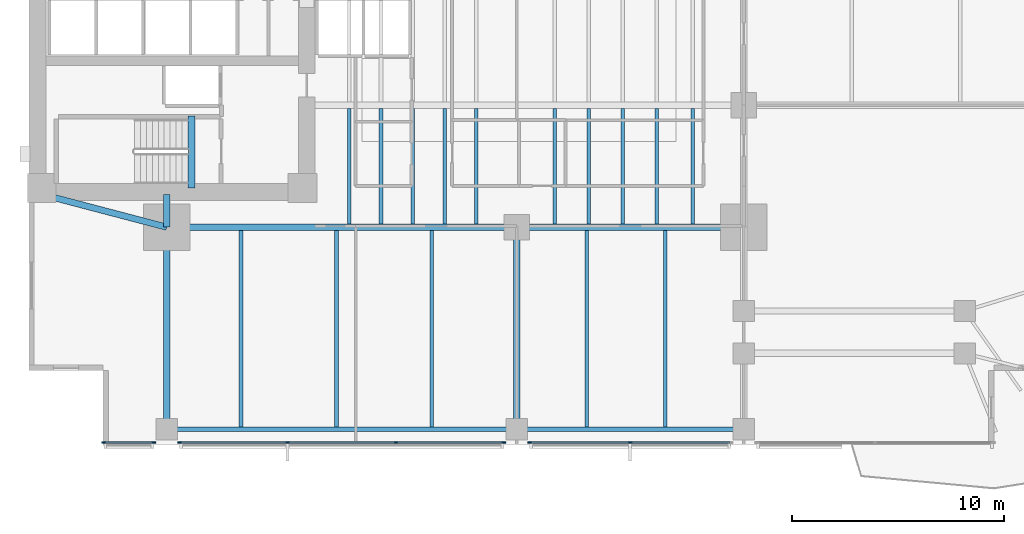
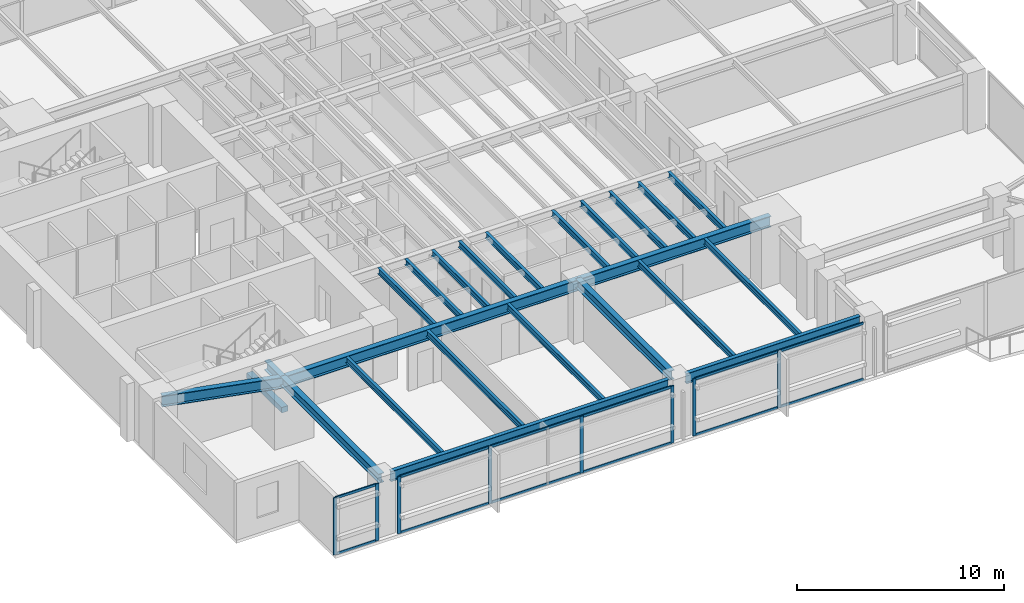
# One storey, part 2 of 15: 24 beams, 20 members, 3 elements without a shape of their own.
"""IFC4 building model written with IfcOpenShell, lengths in metres."""

from ifc_helpers import new_model, si_unit, direction, frame, origin, origin_2d, place, context, subcontext, project, spatial, rectangle, i_section, extrude, material, layer, layer_set, material_profile, profile_set, type_object, element, aggregate, save


model = new_model("IFC4")

# Units and contexts
model_context = context("Model", 3, precision=1e-05, world=origin(), true_north=direction((0.0, 1.0)))
body_context = subcontext(model_context, "Body", "Model", "MODEL_VIEW")
ifc_project = project(units=[si_unit("LENGTHUNIT", "METRE"), si_unit("AREAUNIT", "SQUARE_METRE"), si_unit("VOLUMEUNIT", "CUBIC_METRE"), si_unit("PLANEANGLEUNIT", "RADIAN"), si_unit("MASSUNIT", "GRAM", prefix="KILO")], contexts=[model_context])

# Site, building, storey
site_placement = place(None, origin())
site = spatial("IfcSite", under=ifc_project, at=site_placement, CompositionType="ELEMENT")
building_placement = place(site_placement, origin())
building = spatial("IfcBuilding", under=site, at=building_placement, Name="Kinhvarn Gate Tower", CompositionType="ELEMENT")
storey_placement = place(building_placement, frame((0.0, 0.0, 29.14990234375)))
storey = spatial("IfcBuildingStorey", under=building, at=storey_placement, Name="L06", CompositionType="ELEMENT", Elevation=29.14990234375)

# Beam
ifc_material_1 = material(Name="Concrete C50/60", Category="concrete")
ifc_material_profile_1 = material_profile(ifc_material_1, rectangle(XDim=0.340087890625, YDim=0.320068359375, at=origin_2d()), Name="RC 340x320")
ifc_profile_set_1 = profile_set([ifc_material_profile_1], Name="Concrete C50/60")
beam_type_1 = type_object("IfcBeamType", Name="BM-LND-500", PredefinedType="BEAM", material=ifc_profile_set_1)
beam_1_placement = place(storey_placement, frame((12.1650390625, 14.60009765625, -0.159912109375), z_axis=(0.0, 1.0, 0.0), x_axis=(-1.0, 0.0, 0.0)))
element("IfcBeam", 1, at=beam_1_placement, inside=storey, type_object=beam_type_1, Name="Stair ST1 Landing Nosing Beam (L06)", PredefinedType="BEAM", context=body_context, shape_type="SweptSolid", body=[
    extrude(rectangle(XDim=0.340087890625, YDim=0.320068359375, at=origin_2d()), origin(), (0.0, 0.0, 1.0), 3.39990234375),
])

# Curtain wall, members
ifc_material_2 = material(Name="Anodised aluminium AW-6063", Category="aluminium")
ifc_layer = layer(ifc_material_2, 0.179931640625)
ifc_layer_set = layer_set([ifc_layer], Name="Anodised aluminium AW-6063")
curtain_wall_type = type_object("IfcCurtainWallType", Name="CW-SYS-2", PredefinedType="NOTDEFINED", material=ifc_layer_set)
curtain_wall_1_placement = place(storey_placement, origin())
curtain_wall_1 = element("IfcCurtainWall", 2, at=curtain_wall_1_placement, inside=storey, type_object=curtain_wall_type, Name="Curtain Wall CW2 (L06)", PredefinedType="NOTDEFINED")
ifc_material_profile_2 = material_profile(ifc_material_2, rectangle(XDim=0.070068359375, YDim=0.179931640625, at=origin_2d()), Name="ALU 70x180")
ifc_profile_set_2 = profile_set([ifc_material_profile_2], Name="Anodised aluminium AW-6063")
member_type_1 = type_object("IfcMemberType", Name="CW-MUL-180", PredefinedType="MULLION", material=ifc_profile_set_2)
member_1_placement = place(storey_placement, frame((8.034912109375, 2.590087890625, 0.0), z_axis=(0.0, 0.0, 1.0), x_axis=(0.0, 1.0, 0.0)))
member_1 = element("IfcMember", 3, at=member_1_placement, type_object=member_type_1, Name="CW2 mullion 1", PredefinedType="MULLION", context=body_context, shape_type="SweptSolid", body=[
    extrude(rectangle(XDim=0.070068359375, YDim=0.179931640625, at=origin_2d()), origin(), (0.0, 0.0, 1.0), 3.3701171875),
])
member_2_placement = place(storey_placement, frame((10.385009765625, 2.590087890625, 0.0), z_axis=(0.0, 0.0, 1.0), x_axis=(0.0, 1.0, 0.0)))
member_2 = element("IfcMember", 4, at=member_2_placement, type_object=member_type_1, Name="CW2 mullion 2", PredefinedType="MULLION", context=body_context, shape_type="SweptSolid", body=[
    extrude(rectangle(XDim=0.070068359375, YDim=0.179931640625, at=origin_2d()), origin(), (0.0, 0.0, 1.0), 3.3701171875),
])

curtain_wall_2_placement = place(storey_placement, origin())
curtain_wall_2 = element("IfcCurtainWall", 5, at=curtain_wall_2_placement, inside=storey, type_object=curtain_wall_type, Name="Curtain Wall CW2 (L06)", PredefinedType="NOTDEFINED")
member_3_placement = place(storey_placement, frame((11.614990234375, 2.590087890625, 0.0), z_axis=(0.0, 0.0, 1.0), x_axis=(0.0, 1.0, 0.0)))
member_3 = element("IfcMember", 6, at=member_3_placement, type_object=member_type_1, Name="CW2 mullion 1", PredefinedType="MULLION", context=body_context, shape_type="SweptSolid", body=[
    extrude(rectangle(XDim=0.070068359375, YDim=0.179931640625, at=origin_2d()), origin(), (0.0, 0.0, 1.0), 3.3701171875),
])
member_4_placement = place(storey_placement, frame((16.693359375, 2.590087890625, 0.0), z_axis=(0.0, 0.0, 1.0), x_axis=(0.0, 1.0, 0.0)))
member_4 = element("IfcMember", 7, at=member_4_placement, type_object=member_type_1, Name="CW2 mullion 2", PredefinedType="MULLION", context=body_context, shape_type="SweptSolid", body=[
    extrude(rectangle(XDim=0.070068359375, YDim=0.179931640625, at=origin_2d()), origin(), (0.0, 0.0, 1.0), 3.3701171875),
])
member_5_placement = place(storey_placement, frame((21.806640625, 2.590087890625, 0.0), z_axis=(0.0, 0.0, 1.0), x_axis=(0.0, 1.0, 0.0)))
member_5 = element("IfcMember", 8, at=member_5_placement, type_object=member_type_1, Name="CW2 mullion 3", PredefinedType="MULLION", context=body_context, shape_type="SweptSolid", body=[
    extrude(rectangle(XDim=0.070068359375, YDim=0.179931640625, at=origin_2d()), origin(), (0.0, 0.0, 1.0), 3.3701171875),
])
member_6_placement = place(storey_placement, frame((26.885009765625, 2.590087890625, 0.0), z_axis=(0.0, 0.0, 1.0), x_axis=(0.0, 1.0, 0.0)))
member_6 = element("IfcMember", 9, at=member_6_placement, type_object=member_type_1, Name="CW2 mullion 4", PredefinedType="MULLION", context=body_context, shape_type="SweptSolid", body=[
    extrude(rectangle(XDim=0.070068359375, YDim=0.179931640625, at=origin_2d()), origin(), (0.0, 0.0, 1.0), 3.3701171875),
])

curtain_wall_3_placement = place(storey_placement, origin())
curtain_wall_3 = element("IfcCurtainWall", 10, at=curtain_wall_3_placement, inside=storey, type_object=curtain_wall_type, Name="Curtain Wall CW2 (L06)", PredefinedType="NOTDEFINED")
member_7_placement = place(storey_placement, frame((28.114990234375, 2.590087890625, 0.0), z_axis=(0.0, 0.0, 1.0), x_axis=(0.0, 1.0, 0.0)))
member_7 = element("IfcMember", 11, at=member_7_placement, type_object=member_type_1, Name="CW2 mullion 1", PredefinedType="MULLION", context=body_context, shape_type="SweptSolid", body=[
    extrude(rectangle(XDim=0.070068359375, YDim=0.179931640625, at=origin_2d()), origin(), (0.0, 0.0, 1.0), 3.3701171875),
])
member_8_placement = place(storey_placement, frame((32.85009765625, 2.590087890625, 0.0), z_axis=(0.0, 0.0, 1.0), x_axis=(0.0, 1.0, 0.0)))
member_8 = element("IfcMember", 12, at=member_8_placement, type_object=member_type_1, Name="CW2 mullion 2", PredefinedType="MULLION", context=body_context, shape_type="SweptSolid", body=[
    extrude(rectangle(XDim=0.070068359375, YDim=0.179931640625, at=origin_2d()), origin(), (0.0, 0.0, 1.0), 3.3701171875),
])

# Member
ifc_material_profile_3 = material_profile(ifc_material_2, rectangle(XDim=0.070068359375, YDim=0.139892578125, at=origin_2d()), Name="ALU 70x140")
ifc_profile_set_3 = profile_set([ifc_material_profile_3], Name="Anodised aluminium AW-6063")
member_type_2 = type_object("IfcMemberType", Name="CW-TRN-140", PredefinedType="USERDEFINED", material=ifc_profile_set_3)
member_9_placement = place(storey_placement, frame((8.070068359375, 2.590087890625, 0.03515625), z_axis=(1.0, 0.0, 0.0), x_axis=(0.0, 1.0, 0.0)))
member_9 = element("IfcMember", 13, at=member_9_placement, type_object=member_type_2, Name="CW2 transom 1.1", ObjectType="TRANSOM", PredefinedType="USERDEFINED", context=body_context, shape_type="SweptSolid", body=[
    extrude(rectangle(XDim=0.070068359375, YDim=0.139892578125, at=origin_2d()), origin(), (0.0, 0.0, 1.0), 2.280029296875),
])

member_10_placement = place(storey_placement, frame((8.070068359375, 2.590087890625, 3.335205078125), z_axis=(1.0, 0.0, 0.0), x_axis=(0.0, 1.0, 0.0)))
member_10 = element("IfcMember", 14, at=member_10_placement, type_object=member_type_2, Name="CW2 transom 1.2", ObjectType="TRANSOM", PredefinedType="USERDEFINED", context=body_context, shape_type="SweptSolid", body=[
    extrude(rectangle(XDim=0.070068359375, YDim=0.139892578125, at=origin_2d()), origin(), (0.0, 0.0, 1.0), 2.280029296875),
])

aggregate(curtain_wall_1, [member_1, member_2, member_9, member_10])

member_11_placement = place(storey_placement, frame((11.64990234375, 2.590087890625, 0.03515625), z_axis=(1.0, 0.0, 0.0), x_axis=(0.0, 1.0, 0.0)))
member_11 = element("IfcMember", 15, at=member_11_placement, type_object=member_type_2, Name="CW2 transom 1.1", ObjectType="TRANSOM", PredefinedType="USERDEFINED", context=body_context, shape_type="SweptSolid", body=[
    extrude(rectangle(XDim=0.070068359375, YDim=0.139892578125, at=origin_2d()), origin(), (0.0, 0.0, 1.0), 5.008544921875),
])

member_12_placement = place(storey_placement, frame((11.64990234375, 2.590087890625, 3.335205078125), z_axis=(1.0, 0.0, 0.0), x_axis=(0.0, 1.0, 0.0)))
member_12 = element("IfcMember", 16, at=member_12_placement, type_object=member_type_2, Name="CW2 transom 1.2", ObjectType="TRANSOM", PredefinedType="USERDEFINED", context=body_context, shape_type="SweptSolid", body=[
    extrude(rectangle(XDim=0.070068359375, YDim=0.139892578125, at=origin_2d()), origin(), (0.0, 0.0, 1.0), 5.008544921875),
])

member_13_placement = place(storey_placement, frame((16.728271484375, 2.590087890625, 0.03515625), z_axis=(1.0, 0.0, 0.0), x_axis=(0.0, 1.0, 0.0)))
member_13 = element("IfcMember", 17, at=member_13_placement, type_object=member_type_2, Name="CW2 transom 2.1", ObjectType="TRANSOM", PredefinedType="USERDEFINED", context=body_context, shape_type="SweptSolid", body=[
    extrude(rectangle(XDim=0.070068359375, YDim=0.139892578125, at=origin_2d()), origin(), (0.0, 0.0, 1.0), 5.04345703125),
])

member_14_placement = place(storey_placement, frame((16.728271484375, 2.590087890625, 3.335205078125), z_axis=(1.0, 0.0, 0.0), x_axis=(0.0, 1.0, 0.0)))
member_14 = element("IfcMember", 18, at=member_14_placement, type_object=member_type_2, Name="CW2 transom 2.2", ObjectType="TRANSOM", PredefinedType="USERDEFINED", context=body_context, shape_type="SweptSolid", body=[
    extrude(rectangle(XDim=0.070068359375, YDim=0.139892578125, at=origin_2d()), origin(), (0.0, 0.0, 1.0), 5.04345703125),
])

member_15_placement = place(storey_placement, frame((21.841552734375, 2.590087890625, 0.03515625), z_axis=(1.0, 0.0, 0.0), x_axis=(0.0, 1.0, 0.0)))
member_15 = element("IfcMember", 19, at=member_15_placement, type_object=member_type_2, Name="CW2 transom 3.1", ObjectType="TRANSOM", PredefinedType="USERDEFINED", context=body_context, shape_type="SweptSolid", body=[
    extrude(rectangle(XDim=0.070068359375, YDim=0.139892578125, at=origin_2d()), origin(), (0.0, 0.0, 1.0), 5.008544921875),
])

member_16_placement = place(storey_placement, frame((21.841552734375, 2.590087890625, 3.335205078125), z_axis=(1.0, 0.0, 0.0), x_axis=(0.0, 1.0, 0.0)))
member_16 = element("IfcMember", 20, at=member_16_placement, type_object=member_type_2, Name="CW2 transom 3.2", ObjectType="TRANSOM", PredefinedType="USERDEFINED", context=body_context, shape_type="SweptSolid", body=[
    extrude(rectangle(XDim=0.070068359375, YDim=0.139892578125, at=origin_2d()), origin(), (0.0, 0.0, 1.0), 5.008544921875),
])

aggregate(curtain_wall_2, [member_3, member_4, member_5, member_6, member_11, member_12, member_13, member_14, member_15, member_16])

member_17_placement = place(storey_placement, frame((28.14990234375, 2.590087890625, 0.03515625), z_axis=(1.0, 0.0, 0.0), x_axis=(0.0, 1.0, 0.0)))
member_17 = element("IfcMember", 21, at=member_17_placement, type_object=member_type_2, Name="CW2 transom 1.1", ObjectType="TRANSOM", PredefinedType="USERDEFINED", context=body_context, shape_type="SweptSolid", body=[
    extrude(rectangle(XDim=0.070068359375, YDim=0.139892578125, at=origin_2d()), origin(), (0.0, 0.0, 1.0), 4.6650390625),
])

member_18_placement = place(storey_placement, frame((28.14990234375, 2.590087890625, 3.335205078125), z_axis=(1.0, 0.0, 0.0), x_axis=(0.0, 1.0, 0.0)))
member_18 = element("IfcMember", 22, at=member_18_placement, type_object=member_type_2, Name="CW2 transom 1.2", ObjectType="TRANSOM", PredefinedType="USERDEFINED", context=body_context, shape_type="SweptSolid", body=[
    extrude(rectangle(XDim=0.070068359375, YDim=0.139892578125, at=origin_2d()), origin(), (0.0, 0.0, 1.0), 4.6650390625),
])

member_19_placement = place(storey_placement, frame((32.885009765625, 2.590087890625, 0.03515625), z_axis=(1.0, 0.0, 0.0), x_axis=(0.0, 1.0, 0.0)))
member_19 = element("IfcMember", 23, at=member_19_placement, type_object=member_type_2, Name="CW2 transom 2.1", ObjectType="TRANSOM", PredefinedType="USERDEFINED", context=body_context, shape_type="SweptSolid", body=[
    extrude(rectangle(XDim=0.070068359375, YDim=0.139892578125, at=origin_2d()), origin(), (0.0, 0.0, 1.0), 4.6650390625),
])

member_20_placement = place(storey_placement, frame((32.885009765625, 2.590087890625, 3.335205078125), z_axis=(1.0, 0.0, 0.0), x_axis=(0.0, 1.0, 0.0)))
member_20 = element("IfcMember", 24, at=member_20_placement, type_object=member_type_2, Name="CW2 transom 2.2", ObjectType="TRANSOM", PredefinedType="USERDEFINED", context=body_context, shape_type="SweptSolid", body=[
    extrude(rectangle(XDim=0.070068359375, YDim=0.139892578125, at=origin_2d()), origin(), (0.0, 0.0, 1.0), 4.6650390625),
])

aggregate(curtain_wall_3, [member_7, member_8, member_17, member_18, member_19, member_20])

# Beams
ifc_material_3 = material(Name="Steel S355", Category="steel")
ifc_material_profile_4 = material_profile(ifc_material_3, i_section(OverallWidth=0.300048828125, OverallDepth=0.550048828125, WebThickness=0.014892578125, FlangeThickness=0.029052734375, at=origin_2d()), Name="HEB 550")
ifc_profile_set_4 = profile_set([ifc_material_profile_4], Name="Steel S355")
beam_type_2 = type_object("IfcBeamType", Name="STL-HEB550", PredefinedType="BEAM", material=ifc_profile_set_4)
beam_2_placement = place(storey_placement, frame((11.0, 3.219970703125, 3.09521484375), z_axis=(0.0, 1.0, 0.0), x_axis=(-1.0, 0.0, 0.0)))
element("IfcBeam", 25, at=beam_2_placement, inside=storey, type_object=beam_type_2, Name="Floor Beam PG-15 (L06 MCW-S)", PredefinedType="BEAM", context=body_context, shape_type="SweptSolid", body=[
    extrude(i_section(OverallWidth=0.300048828125, OverallDepth=0.550048828125, WebThickness=0.014892578125, FlangeThickness=0.029052734375, at=origin_2d()), origin(), (0.0, 0.0, 1.0), 9.530029296875),
])
beam_3_placement = place(storey_placement, frame((11.0, 12.75, 3.09521484375), z_axis=(0.0, 1.0, 0.0), x_axis=(-1.0, 0.0, 0.0)))
element("IfcBeam", 26, at=beam_3_placement, inside=storey, type_object=beam_type_2, Name="Floor Beam PG-15 (L06 MCW-CS)", PredefinedType="BEAM", context=body_context, shape_type="SweptSolid", body=[
    extrude(i_section(OverallWidth=0.300048828125, OverallDepth=0.550048828125, WebThickness=0.014892578125, FlangeThickness=0.029052734375, at=origin_2d()), origin(), (0.0, 0.0, 1.0), 1.550048828125),
])
beam_4_placement = place(storey_placement, frame((27.5, 3.705078125, 3.09521484375), z_axis=(0.0, 1.0, 0.0), x_axis=(-1.0, 0.0, 0.0)))
element("IfcBeam", 27, at=beam_4_placement, inside=storey, type_object=beam_type_2, Name="Floor Beam PG-15 (L06 SP27-S-TIE)", PredefinedType="BEAM", context=body_context, shape_type="SweptSolid", body=[
    extrude(i_section(OverallWidth=0.300048828125, OverallDepth=0.550048828125, WebThickness=0.014892578125, FlangeThickness=0.029052734375, at=origin_2d()), origin(), (0.0, 0.0, 1.0), 9.044921875),
])
ifc_material_profile_5 = material_profile(ifc_material_3, i_section(OverallWidth=0.300048828125, OverallDepth=0.64990234375, WebThickness=0.01611328125, FlangeThickness=0.031005859375, at=origin_2d()), Name="HEB 650")
ifc_profile_set_5 = profile_set([ifc_material_profile_5], Name="Steel S355")
beam_type_3 = type_object("IfcBeamType", Name="STL-HEB650", PredefinedType="BEAM", material=ifc_profile_set_5)
beam_5_placement = place(storey_placement, frame((11.0, 12.75, 3.045166015625), z_axis=(1.0, 0.0, 0.0), x_axis=(0.0, 1.0, 0.0)))
element("IfcBeam", 28, at=beam_5_placement, inside=storey, type_object=beam_type_3, Name="Floor Beam PG-17 (L06 MG-S1)", PredefinedType="BEAM", context=body_context, shape_type="SweptSolid", body=[
    extrude(i_section(OverallWidth=0.300048828125, OverallDepth=0.64990234375, WebThickness=0.01611328125, FlangeThickness=0.031005859375, at=origin_2d()), origin(), (0.0, 0.0, 1.0), 16.5),
])
beam_6_placement = place(storey_placement, frame((27.5, 12.75, 3.045166015625), z_axis=(1.0, 0.0, 0.0), x_axis=(0.0, 1.0, 0.0)))
element("IfcBeam", 29, at=beam_6_placement, inside=storey, type_object=beam_type_3, Name="Floor Beam PG-17 (L06 MG-S2)", PredefinedType="BEAM", context=body_context, shape_type="SweptSolid", body=[
    extrude(i_section(OverallWidth=0.300048828125, OverallDepth=0.64990234375, WebThickness=0.01611328125, FlangeThickness=0.031005859375, at=origin_2d()), origin(), (0.0, 0.0, 1.0), 10.699951171875),
])
beam_7_placement = place(storey_placement, frame((5.10009765625, 14.300048828125, 3.045166015625), z_axis=(0.967177623957, -0.254101246979, 0.0), x_axis=(0.254101246979, 0.967177623957, 0.0)))
element("IfcBeam", 30, at=beam_7_placement, inside=storey, type_object=beam_type_3, Name="Floor Beam PG-17 (L06 MG-SW-DIAG)", PredefinedType="BEAM", context=body_context, shape_type="SweptSolid", body=[
    extrude(i_section(OverallWidth=0.300048828125, OverallDepth=0.64990234375, WebThickness=0.01611328125, FlangeThickness=0.031005859375, at=origin_2d()), origin(), (0.0, 0.0, 1.0), 6.10009765625),
])
ifc_material_profile_6 = material_profile(ifc_material_3, i_section(OverallWidth=0.169921875, OverallDepth=0.360107421875, WebThickness=0.008056640625, FlangeThickness=0.0126953125, at=origin_2d()), Name="IPE 360")
ifc_profile_set_6 = profile_set([ifc_material_profile_6], Name="Steel S355")
beam_type_4 = type_object("IfcBeamType", Name="STL-IPE360", PredefinedType="JOIST", material=ifc_profile_set_6)
for number, where, z_axis, x_axis, name in (
    (31, (19.60009765625, 12.89990234375, 3.190185546875), (0.0, 1.0, 0.0), (-1.0, 0.0, 0.0), "Floor Joist SB-04 (L06 JC-X196-0)"),
    (32, (21.10009765625, 12.89990234375, 3.190185546875), (0.0, 1.0, 0.0), (-1.0, 0.0, 0.0), "Floor Joist SB-04 (L06 JC-X211-0)"),
    (33, (22.60009765625, 12.89990234375, 3.190185546875), (0.0, 1.0, 0.0), (-1.0, 0.0, 0.0), "Floor Joist SB-04 (L06 JC-X226-0)"),
    (34, (24.10009765625, 12.89990234375, 3.190185546875), (0.0, 1.0, 0.0), (-1.0, 0.0, 0.0), "Floor Joist SB-04 (L06 JC-X241-0)"),
    (35, (25.60009765625, 12.89990234375, 3.190185546875), (0.0, 1.0, 0.0), (-1.0, 0.0, 0.0), "Floor Joist SB-04 (L06 JC-X256-0)"),
    (36, (29.300048828125, 12.89990234375, 3.190185546875), (0.0, 1.0, 0.0), (-1.0, 0.0, 0.0), "Floor Joist SB-04 (L06 JC-X293-0)"),
    (37, (30.89990234375, 12.89990234375, 3.190185546875), (0.0, 1.0, 0.0), (-1.0, 0.0, 0.0), "Floor Joist SB-04 (L06 JC-X309-0)"),
    (38, (32.5, 12.89990234375, 3.190185546875), (0.0, 1.0, 0.0), (-1.0, 0.0, 0.0), "Floor Joist SB-04 (L06 JC-X325-0)"),
    (39, (34.10009765625, 12.89990234375, 3.190185546875), (0.0, 1.0, 0.0), (-1.0, 0.0, 0.0), "Floor Joist SB-04 (L06 JC-X341-0)"),
    (40, (35.800048828125, 12.89990234375, 3.190185546875), (0.0, 1.0, 0.0), (-1.0, 0.0, 0.0), "Floor Joist SB-04 (L06 JC-X358-0)"),
):
    element("IfcBeam", number, at=place(storey_placement, frame(where, z_axis=z_axis, x_axis=x_axis)), inside=storey, type_object=beam_type_4, Name=name, PredefinedType="JOIST", context=body_context, shape_type="SweptSolid", body=[
        extrude(i_section(OverallWidth=0.169921875, OverallDepth=0.360107421875, WebThickness=0.008056640625, FlangeThickness=0.0126953125, at=origin_2d()), origin(), (0.0, 0.0, 1.0), 5.4501953125),
    ])
for number, where, z_axis, x_axis, name in (
    (41, (14.5, 3.330078125, 3.190185546875), (0.0, 1.0, 0.0), (-1.0, 0.0, 0.0), "Floor Joist SB-04 (L06 JS-X145)"),
    (42, (19.0, 3.330078125, 3.190185546875), (0.0, 1.0, 0.0), (-1.0, 0.0, 0.0), "Floor Joist SB-04 (L06 JS-X190)"),
    (43, (23.5, 3.330078125, 3.190185546875), (0.0, 1.0, 0.0), (-1.0, 0.0, 0.0), "Floor Joist SB-04 (L06 JS-X235)"),
    (44, (30.800048828125, 3.330078125, 3.190185546875), (0.0, 1.0, 0.0), (-1.0, 0.0, 0.0), "Floor Joist SB-04 (L06 JS-X308)"),
    (45, (34.5, 3.330078125, 3.190185546875), (0.0, 1.0, 0.0), (-1.0, 0.0, 0.0), "Floor Joist SB-04 (L06 JS-X345)"),
):
    element("IfcBeam", number, at=place(storey_placement, frame(where, z_axis=z_axis, x_axis=x_axis)), inside=storey, type_object=beam_type_4, Name=name, PredefinedType="JOIST", context=body_context, shape_type="SweptSolid", body=[
        extrude(i_section(OverallWidth=0.169921875, OverallDepth=0.360107421875, WebThickness=0.008056640625, FlangeThickness=0.0126953125, at=origin_2d()), origin(), (0.0, 0.0, 1.0), 9.27001953125),
    ])
ifc_material_profile_7 = material_profile(ifc_material_3, i_section(OverallWidth=0.219970703125, OverallDepth=0.60009765625, WebThickness=0.011962890625, FlangeThickness=0.01904296875, at=origin_2d()), Name="IPE 600")
ifc_profile_set_7 = profile_set([ifc_material_profile_7], Name="Steel S355")
beam_type_5 = type_object("IfcBeamType", Name="STL-IPE600", PredefinedType="SPANDREL", material=ifc_profile_set_7)
beam_8_placement = place(storey_placement, frame((11.485107421875, 3.219970703125, 3.070068359375), z_axis=(1.0, 0.0, 0.0), x_axis=(0.0, 1.0, 0.0)))
element("IfcBeam", 46, at=beam_8_placement, inside=storey, type_object=beam_type_5, Name="Floor Spandrel SB-09 (L06 SP-S1)", PredefinedType="SPANDREL", context=body_context, shape_type="SweptSolid", body=[
    extrude(i_section(OverallWidth=0.219970703125, OverallDepth=0.60009765625, WebThickness=0.011962890625, FlangeThickness=0.01904296875, at=origin_2d()), origin(), (0.0, 0.0, 1.0), 15.52978515625),
])
beam_9_placement = place(storey_placement, frame((27.985107421875, 3.219970703125, 3.070068359375), z_axis=(1.0, 0.0, 0.0), x_axis=(0.0, 1.0, 0.0)))
element("IfcBeam", 47, at=beam_9_placement, inside=storey, type_object=beam_type_5, Name="Floor Spandrel SB-09 (L06 SP-S2)", PredefinedType="SPANDREL", context=body_context, shape_type="SweptSolid", body=[
    extrude(i_section(OverallWidth=0.219970703125, OverallDepth=0.60009765625, WebThickness=0.011962890625, FlangeThickness=0.01904296875, at=origin_2d()), origin(), (0.0, 0.0, 1.0), 9.72998046875),
])

save(model, "model.ifc")
